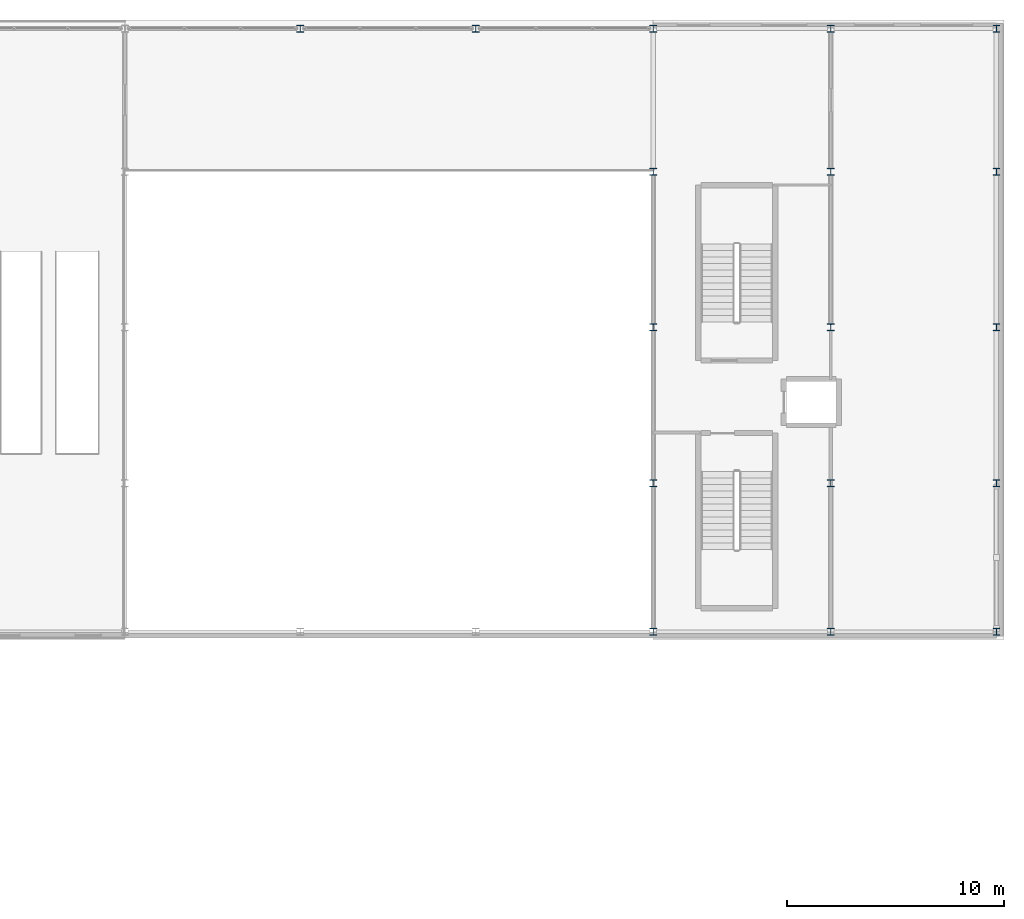
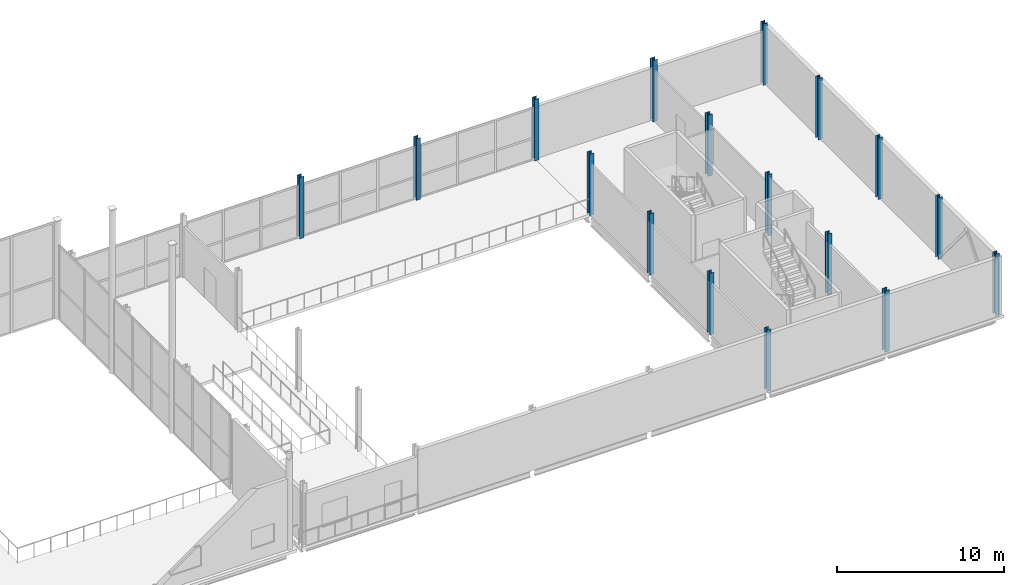
# One storey, part 10 of 77: 17 columns.
"""IFC4 building model written with IfcOpenShell, lengths in metres."""

from ifc_helpers import new_model, si_unit, direction, frame, origin, origin_2d, place, context, subcontext, project, spatial, i_section, extrude, material, material_profile, profile_set, type_object, element, save


model = new_model("IFC4")

# Units and contexts
model_context = context("Model", 3, precision=1e-05, world=origin(), true_north=direction((0.0, 1.0)))
body_context = subcontext(model_context, "Body", "Model", "MODEL_VIEW")
ifc_project = project(units=[si_unit("LENGTHUNIT", "METRE"), si_unit("AREAUNIT", "SQUARE_METRE"), si_unit("VOLUMEUNIT", "CUBIC_METRE"), si_unit("PLANEANGLEUNIT", "RADIAN"), si_unit("MASSUNIT", "GRAM", prefix="KILO")], contexts=[model_context])

# Site, building, storey
site_placement = place(None, origin())
site = spatial("IfcSite", under=ifc_project, at=site_placement, CompositionType="ELEMENT")
building_placement = place(site_placement, origin())
building = spatial("IfcBuilding", under=site, at=building_placement, Name="Quillay Park Conservatory", CompositionType="ELEMENT")
storey_placement = place(building_placement, frame((0.0, 0.0, 5.39990234375)))
storey = spatial("IfcBuildingStorey", under=building, at=storey_placement, Name="L01", CompositionType="ELEMENT", Elevation=5.39990234375)

# Columns
ifc_material = material(Name="Steel ASTM A992 Grade 50", Category="steel")
ifc_material_profile = material_profile(ifc_material, i_section(OverallWidth=0.30908203125, OverallDepth=0.322998046875, WebThickness=0.013916015625, FlangeThickness=0.02294921875, FilletRadius=0.014892578125, at=origin_2d()), Name="W310x143")
ifc_profile_set = profile_set([ifc_material_profile], Name="Steel ASTM A992 Grade 50")
column_type = type_object("IfcColumnType", Name="COMPOSITE STEEL COLUMN W310 X143", PredefinedType="COLUMN", material=ifc_profile_set)
for number, where, z_axis, x_axis, name in (
    (1, (131.699951171875, 113.39990234375, 0.0), (0.0, 0.0, 1.0), (1.0, 0.0, 0.0), "L01 column COL-V2-L01-2-4"),
    (2, (139.800048828125, 113.39990234375, 0.0), (0.0, 0.0, 1.0), (1.0, 0.0, 0.0), "L01 column COL-V2-L01-3-4"),
    (3, (148.0, 85.550048828125, 0.0), (0.0, 0.0, 1.0), (1.0, 0.0, 0.0), "L01 column COL-V2-L01-4-0"),
    (4, (148.0, 92.39990234375, 0.0), (0.0, 0.0, 1.0), (1.0, 0.0, 0.0), "L01 column COL-V2-L01-4-1"),
    (5, (148.0, 99.60009765625, 0.0), (0.0, 0.0, 1.0), (1.0, 0.0, 0.0), "L01 column COL-V2-L01-4-2"),
    (6, (148.0, 106.800048828125, 0.0), (0.0, 0.0, 1.0), (1.0, 0.0, 0.0), "L01 column COL-V2-L01-4-3"),
    (7, (148.0, 113.39990234375, 0.0), (0.0, 0.0, 1.0), (1.0, 0.0, 0.0), "L01 column COL-V2-L01-4-4"),
    (8, (156.199951171875, 85.550048828125, 0.0), (0.0, 0.0, 1.0), (1.0, 0.0, 0.0), "L01 column COL-V2-L01-5-0"),
    (9, (156.199951171875, 92.39990234375, 0.0), (0.0, 0.0, 1.0), (1.0, 0.0, 0.0), "L01 column COL-V2-L01-5-1"),
    (10, (156.199951171875, 99.60009765625, 0.0), (0.0, 0.0, 1.0), (1.0, 0.0, 0.0), "L01 column COL-V2-L01-5-2"),
    (11, (156.199951171875, 106.800048828125, 0.0), (0.0, 0.0, 1.0), (1.0, 0.0, 0.0), "L01 column COL-V2-L01-5-3"),
    (12, (156.199951171875, 113.39990234375, 0.0), (0.0, 0.0, 1.0), (1.0, 0.0, 0.0), "L01 column COL-V2-L01-5-4"),
    (13, (163.85009765625, 85.550048828125, 0.0), (0.0, 0.0, 1.0), (1.0, 0.0, 0.0), "L01 column COL-V2-L01-6-0"),
    (14, (163.85009765625, 92.39990234375, 0.0), (0.0, 0.0, 1.0), (1.0, 0.0, 0.0), "L01 column COL-V2-L01-6-1"),
    (15, (163.85009765625, 99.60009765625, 0.0), (0.0, 0.0, 1.0), (1.0, 0.0, 0.0), "L01 column COL-V2-L01-6-2"),
    (16, (163.85009765625, 106.800048828125, 0.0), (0.0, 0.0, 1.0), (1.0, 0.0, 0.0), "L01 column COL-V2-L01-6-3"),
    (17, (163.85009765625, 113.39990234375, 0.0), (0.0, 0.0, 1.0), (1.0, 0.0, 0.0), "L01 column COL-V2-L01-6-4"),
):
    element("IfcColumn", number, at=place(storey_placement, frame(where, z_axis=z_axis, x_axis=x_axis)), inside=storey, type_object=column_type, Name=name, PredefinedType="COLUMN", context=body_context, shape_type="SweptSolid", body=[
        extrude(i_section(OverallWidth=0.30908203125, OverallDepth=0.322998046875, WebThickness=0.013916015625, FlangeThickness=0.02294921875, FilletRadius=0.014892578125, at=origin_2d()), origin(), (0.0, 0.0, 1.0), 4.5),
    ])

save(model, "model.ifc")
